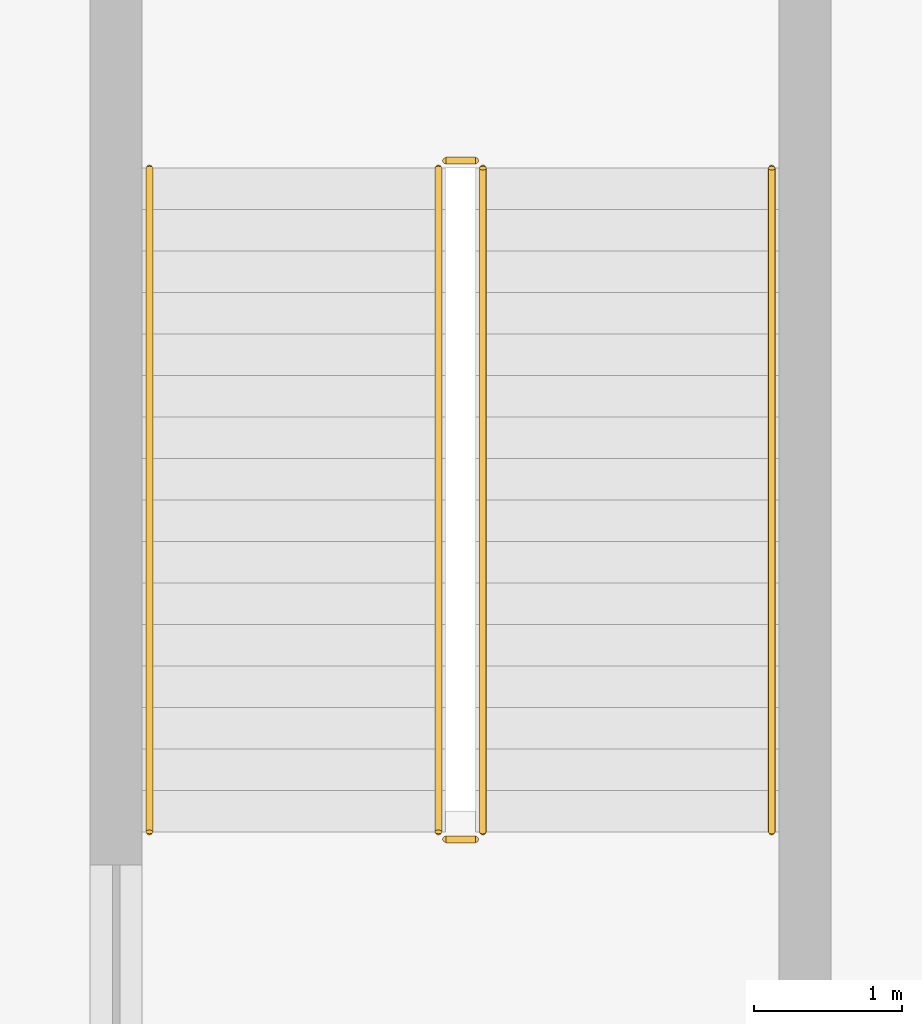
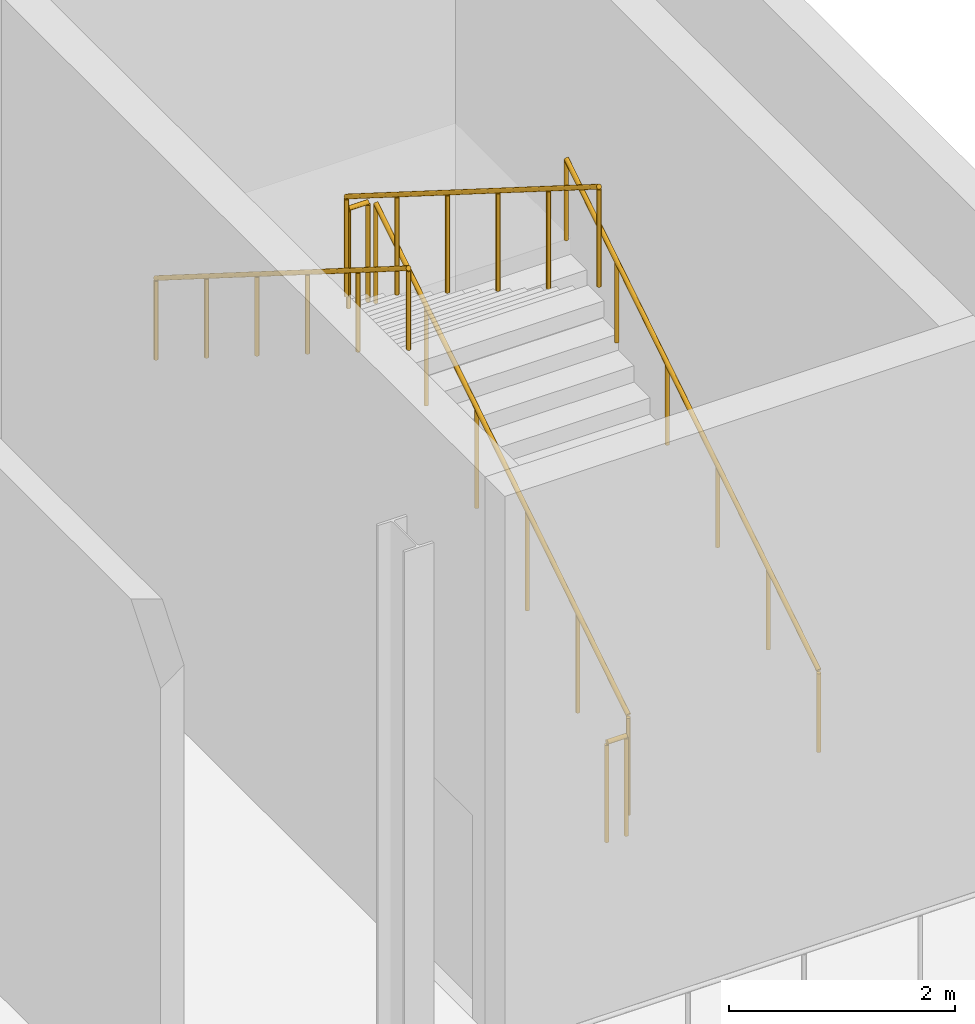
# One storey, part 80 of 84: 6 railings.
"""IFC4 building model written with IfcOpenShell, lengths in metres."""

import ifcopenshell
import ifcopenshell.guid

model = None  # the IFC model being written
_history = None  # IfcOwnerHistory: only IFC2X3 demands one
_inside = {}  # id of a spatial element -> (the spatial element, [elements in it])
_under = {}  # id of a project, library or spatial element -> (it, [spatial elements below it])
_declared = {}  # id of a project -> (the project, [libraries it declares])
_typed = {}  # id of a type object -> (the type object, [elements of that type])
_made_of = {}  # id of a material, layer set ... -> (it, [elements and type objects made of it])


def new_model(schema):
    """Start an empty IFC model of exactly this schema.

    Asked for "IFC4X3", IfcOpenShell would pick the latest addendum, in which some entities
    have other attributes; the version numbers below select the first issue.
    IFC2X3 requires an IfcOwnerHistory on every rooted entity: one is made here for all.
    """
    global model, _history
    if schema == "IFC4X3":
        model = ifcopenshell.file(schema_version=(4, 3, 0, 0))
    else:
        model = ifcopenshell.file(schema=schema)
    _inside.clear()
    _under.clear()
    _declared.clear()
    _typed.clear()
    _made_of.clear()
    _history = None
    if model.schema == "IFC2X3":
        org = make("IfcOrganization", Name="unknown")
        user = make(
            "IfcPersonAndOrganization",
            ThePerson=make("IfcPerson", FamilyName="unknown"),
            TheOrganization=org,
        )
        app = make(
            "IfcApplication",
            ApplicationDeveloper=org,
            Version="unknown",
            ApplicationFullName="unknown",
            ApplicationIdentifier="unknown",
        )
        _history = make(
            "IfcOwnerHistory",
            OwningUser=user,
            OwningApplication=app,
            ChangeAction="ADDED",
            CreationDate=0,
        )
    return model


def make(cls, **values):
    """One entity of the class cls with the attributes given. An attribute that is None is left unset."""
    return model.create_entity(
        cls, **{name: value for name, value in values.items() if value is not None}
    )


def rooted(cls, **values):
    """An entity with a GlobalId (a new one), such as an element, a storey or a relation."""
    return make(cls, GlobalId=ifcopenshell.guid.new(), OwnerHistory=_history, **values)


def si_unit(unit_type, name, prefix=None):
    """IfcSIUnit, for example si_unit("LENGTHUNIT", "METRE", prefix="MILLI")."""
    return make("IfcSIUnit", UnitType=unit_type, Prefix=prefix, Name=name)


def assignment(units):
    """IfcUnitAssignment: the units of a project."""
    return None if units is None else make("IfcUnitAssignment", Units=units)


def point(xyz):
    """IfcCartesianPoint."""
    return None if xyz is None else make("IfcCartesianPoint", Coordinates=xyz)


def direction(xyz):
    """IfcDirection."""
    return None if xyz is None else make("IfcDirection", DirectionRatios=xyz)


def frame(location, z_axis=None, x_axis=None):
    """IfcAxis2Placement3D, a coordinate frame: its origin and axes. An axis left out is left unset."""
    return make(
        "IfcAxis2Placement3D",
        Location=point(location),
        Axis=direction(z_axis),
        RefDirection=direction(x_axis),
    )


def frame_2d(location, x_axis=None):
    """IfcAxis2Placement2D, a coordinate frame in the plane: its origin and x axis."""
    return make(
        "IfcAxis2Placement2D", Location=point(location), RefDirection=direction(x_axis)
    )


def origin():
    """The frame at (0, 0, 0) with its axes left unset."""
    return frame((0.0, 0.0, 0.0))


def origin_2d():
    """The frame at (0, 0) in the plane with its x axis left unset."""
    return frame_2d((0.0, 0.0))


def place(relative_to, where):
    """IfcLocalPlacement: puts the frame where relative to a parent placement (None: the world)."""
    return make(
        "IfcLocalPlacement", PlacementRelTo=relative_to, RelativePlacement=where
    )


def context(
    kind, dimensions, precision=None, world=None, true_north=None, identifier=None
):
    """IfcGeometricRepresentationContext, for example the 3D "Model" context."""
    return make(
        "IfcGeometricRepresentationContext",
        ContextIdentifier=identifier,
        ContextType=kind,
        CoordinateSpaceDimension=dimensions,
        Precision=precision,
        WorldCoordinateSystem=world,
        TrueNorth=true_north,
    )


def subcontext(parent, identifier, kind, view, scale=None):
    """IfcGeometricRepresentationSubContext, for example "Body" below "Model"."""
    return make(
        "IfcGeometricRepresentationSubContext",
        ContextIdentifier=identifier,
        ContextType=kind,
        ParentContext=parent,
        TargetScale=scale,
        TargetView=view,
    )


def project(units=None, contexts=None):
    """IfcProject with its units and contexts."""
    return rooted(
        "IfcProject",
        Name="project",
        RepresentationContexts=contexts,
        UnitsInContext=assignment(units),
    )


def spatial(cls, under=None, at=None, **own):
    """A site, building, storey or space (cls), placed at a placement, below another one or the project."""
    s = rooted(cls, ObjectPlacement=at, **own)
    if under is not None:
        _under.setdefault(under.id(), (under, []))[1].append(s)
    return s


def profile(cls, at=None, kind="AREA", **sizes):
    """A parametric profile (cls). Its sizes go by their IFC names, for example OverallWidth=200.0."""
    return make(cls, ProfileType=kind, Position=at, **sizes)


def circle(**sizes):
    """IfcCircleProfileDef."""
    return profile("IfcCircleProfileDef", **sizes)


def extrude(swept, where, along, depth):
    """IfcExtrudedAreaSolid: the profile swept, set in the frame where, extruded along a direction by depth."""
    return make(
        "IfcExtrudedAreaSolid",
        SweptArea=swept,
        Position=where,
        ExtrudedDirection=direction(along),
        Depth=depth,
    )


def shape(context_of_items, identifier, shape_type, items):
    """IfcShapeRepresentation: the items that make up one representation, for example the "Body"."""
    return make(
        "IfcShapeRepresentation",
        ContextOfItems=context_of_items,
        RepresentationIdentifier=identifier,
        RepresentationType=shape_type,
        Items=items,
    )


def material(Name=None, Category=None):
    """IfcMaterial."""
    return make("IfcMaterial", Name=Name, Category=Category)


def made_of(thing, what):
    """Note that an element or type object is made of a material, layer set ...; save() writes the relation."""
    if what is not None:
        _made_of.setdefault(what.id(), (what, []))[1].append(thing)
    return thing


def type_object(cls, material=None, **own):
    """A type object (cls), such as IfcWallType, which elements share."""
    return made_of(rooted(cls, **own), material)


def element(
    cls,
    number,
    at=None,
    inside=None,
    cuts=None,
    type_object=None,
    material=None,
    context=None,
    identifier="Body",
    shape_type=None,
    held_by="IfcProductDefinitionShape",
    body=None,
    shapes=None,
    **own,
):
    """One element of the class cls, such as IfcWall. Its Tag is "e" and its number.

    at: its placement. inside: the storey or other place that contains it. cuts: it is an
    opening in that element (IfcRelVoidsElement). A single representation is given by context,
    identifier, shape_type and body (its items); several are given by shapes. held_by: the class
    of the entity that holds the representations. save() writes the other relations.
    """
    e = rooted(cls, Tag="e%d" % number, ObjectPlacement=at, **own)
    if body is not None:
        shapes = [shape(context, identifier, shape_type, body)]
    if shapes is not None:
        e.Representation = make(held_by, Representations=shapes)
    if inside is not None:
        _inside.setdefault(inside.id(), (inside, []))[1].append(e)
    if cuts is not None:
        rooted(
            "IfcRelVoidsElement", RelatingBuildingElement=cuts, RelatedOpeningElement=e
        )
    if type_object is not None:
        _typed.setdefault(type_object.id(), (type_object, []))[1].append(e)
    return made_of(e, material)


def aggregate(whole, parts):
    """IfcRelAggregates: a whole, such as a stair, and the parts it consists of."""
    return rooted("IfcRelAggregates", RelatingObject=whole, RelatedObjects=parts)


def save(model, path):
    """Write the relations noted so far, then the file.

    IfcRelAggregates (storeys below a building ...), IfcRelContainedInSpatialStructure (elements
    in a storey), IfcRelDefinesByType, IfcRelAssociatesMaterial and IfcRelDeclares: one each for
    every whole, place, type object, material and project.
    """
    for whole, parts in _under.values():
        aggregate(whole, parts)
    for where, things in _inside.values():
        rooted(
            "IfcRelContainedInSpatialStructure",
            RelatedElements=things,
            RelatingStructure=where,
        )
    for kind, things in _typed.values():
        rooted("IfcRelDefinesByType", RelatedObjects=things, RelatingType=kind)
    for what, things in _made_of.values():
        rooted("IfcRelAssociatesMaterial", RelatedObjects=things, RelatingMaterial=what)
    for by, libraries in _declared.values():
        rooted("IfcRelDeclares", RelatingContext=by, RelatedDefinitions=libraries)
    model.write(path)


model = new_model("IFC4")

# Units and contexts
model_context = context("Model", 3, precision=1e-05, world=origin(), true_north=direction((0.0, 1.0)))
body_context = subcontext(model_context, "Body", "Model", "MODEL_VIEW")
ifc_project = project(units=[si_unit("LENGTHUNIT", "METRE"), si_unit("AREAUNIT", "SQUARE_METRE"), si_unit("VOLUMEUNIT", "CUBIC_METRE"), si_unit("PLANEANGLEUNIT", "RADIAN"), si_unit("MASSUNIT", "GRAM", prefix="KILO")], contexts=[model_context])

# Site, building, storey
site_placement = place(None, origin())
site = spatial("IfcSite", under=ifc_project, at=site_placement, CompositionType="ELEMENT")
building_placement = place(site_placement, origin())
building = spatial("IfcBuilding", under=site, at=building_placement, Name="Sefraquen Railside Congress Hotel", CompositionType="ELEMENT")
storey_placement = place(building_placement, origin())
storey = spatial("IfcBuildingStorey", under=building, at=storey_placement, Name="L00", CompositionType="ELEMENT", Elevation=0.0)

# Railings
ifc_material = material(Name="Patinated wrought architectural bronze", Category="metal")
railing_type_1 = type_object("IfcRailingType", Name="TRL-BAL-110", PredefinedType="BALUSTRADE", material=ifc_material)
railing_1_placement = place(storey_placement, frame((168.10009765625, 20.449951171875, 0.176513671875)))
element("IfcRailing", 1, at=railing_1_placement, inside=storey, type_object=railing_type_1, Name="L00 ST-S01 stair guard 1", PredefinedType="BALUSTRADE", context=body_context, shape_type="SweptSolid", body=[
    extrude(circle(Radius=0.02392578125, at=origin_2d()), frame((0.0, 0.0, 1.076171875), z_axis=(0.0, 0.845997938375, 0.533186166611), x_axis=(-1.0, 0.0, 0.0)), (0.0, 0.0, 1.0), 5.29541015625),
    extrude(circle(Radius=0.02099609375, at=origin_2d()), origin(), (0.0, 0.0, 1.0), 1.052001953125),
    extrude(circle(Radius=0.02099609375, at=origin_2d()), frame((0.0, 0.89599609375, 0.564697265625)), (0.0, 0.0, 1.0), 1.052001953125),
    extrude(circle(Radius=0.02099609375, at=origin_2d()), frame((0.0, 1.7919921875, 1.12939453125)), (0.0, 0.0, 1.0), 1.052001953125),
    extrude(circle(Radius=0.02099609375, at=origin_2d()), frame((0.0, 2.68798828125, 1.694091796875)), (0.0, 0.0, 1.0), 1.052001953125),
    extrude(circle(Radius=0.02099609375, at=origin_2d()), frame((0.0, 3.583984375, 2.2587890625)), (0.0, 0.0, 1.0), 1.052001953125),
    extrude(circle(Radius=0.02099609375, at=origin_2d()), frame((0.0, 4.47998046875, 2.823486328125)), (0.0, 0.0, 1.0), 1.052001953125),
])
railing_2_placement = place(storey_placement, frame((168.050048828125, 24.97998046875, 3.0)))
element("IfcRailing", 2, at=railing_2_placement, inside=storey, type_object=railing_type_1, Name="L00 ST-S01 stair guard 2", PredefinedType="BALUSTRADE", context=body_context, shape_type="SweptSolid", body=[
    extrude(circle(Radius=0.02392578125, at=origin_2d()), frame((0.0, 0.0, 1.076171875), z_axis=(-1.0, 0.0, 0.0), x_axis=(0.0, -1.0, 0.0)), (0.0, 0.0, 1.0), 0.199951171875),
    extrude(circle(Radius=0.02099609375, at=origin_2d()), origin(), (0.0, 0.0, 1.0), 1.052001953125),
    extrude(circle(Radius=0.02099609375, at=origin_2d()), frame((-0.199951171875, 0.0, 0.0)), (0.0, 0.0, 1.0), 1.052001953125),
])
railing_3_placement = place(storey_placement, frame((167.800048828125, 24.929931640625, 3.176513671875)))
element("IfcRailing", 3, at=railing_3_placement, inside=storey, type_object=railing_type_1, Name="L00 ST-S01 stair guard 3", PredefinedType="BALUSTRADE", context=body_context, shape_type="SweptSolid", body=[
    extrude(circle(Radius=0.02392578125, at=origin_2d()), frame((0.0, 0.0, 1.076171875), z_axis=(0.0, -0.845997938375, 0.533186166611), x_axis=(1.0, 0.0, 0.0)), (0.0, 0.0, 1.0), 5.29541015625),
    extrude(circle(Radius=0.02099609375, at=origin_2d()), origin(), (0.0, 0.0, 1.0), 1.052001953125),
    extrude(circle(Radius=0.02099609375, at=origin_2d()), frame((0.0, -0.89599609375, 0.564697265625)), (0.0, 0.0, 1.0), 1.052001953125),
    extrude(circle(Radius=0.02099609375, at=origin_2d()), frame((0.0, -1.7919921875, 1.12939453125)), (0.0, 0.0, 1.0), 1.052001953125),
    extrude(circle(Radius=0.02099609375, at=origin_2d()), frame((0.0, -2.68798828125, 1.694091796875)), (0.0, 0.0, 1.0), 1.052001953125),
    extrude(circle(Radius=0.02099609375, at=origin_2d()), frame((0.0, -3.583984375, 2.2587890625)), (0.0, 0.0, 1.0), 1.052001953125),
    extrude(circle(Radius=0.02099609375, at=origin_2d()), frame((0.0, -4.47998046875, 2.823486328125)), (0.0, 0.0, 1.0), 1.052001953125),
])
railing_4_placement = place(storey_placement, frame((168.050048828125, 20.39990234375, 0.0)))
element("IfcRailing", 4, at=railing_4_placement, inside=storey, type_object=railing_type_1, Name="L00 ST-S01 stair guard 4", PredefinedType="BALUSTRADE", context=body_context, shape_type="SweptSolid", body=[
    extrude(circle(Radius=0.02392578125, at=origin_2d()), frame((0.0, 0.0, 1.076171875), z_axis=(-1.0, 0.0, 0.0), x_axis=(0.0, -1.0, 0.0)), (0.0, 0.0, 1.0), 0.199951171875),
    extrude(circle(Radius=0.02099609375, at=origin_2d()), origin(), (0.0, 0.0, 1.0), 1.052001953125),
    extrude(circle(Radius=0.02099609375, at=origin_2d()), frame((-0.199951171875, 0.0, 0.0)), (0.0, 0.0, 1.0), 1.052001953125),
])
railing_type_2 = type_object("IfcRailingType", Name="TRL-HR-090", PredefinedType="HANDRAIL", material=ifc_material)
railing_5_placement = place(storey_placement, frame((170.050048828125, 20.449951171875, 0.176513671875)))
element("IfcRailing", 5, at=railing_5_placement, inside=storey, type_object=railing_type_2, Name="L00 ST-S01 stair handrail 1", PredefinedType="HANDRAIL", context=body_context, shape_type="SweptSolid", body=[
    extrude(circle(Radius=0.02392578125, at=origin_2d()), frame((0.0, 0.0, 0.8759765625), z_axis=(0.0, 0.845997938375, 0.533186166611), x_axis=(-1.0, 0.0, 0.0)), (0.0, 0.0, 1.0), 5.29541015625),
    extrude(circle(Radius=0.02099609375, at=origin_2d()), origin(), (0.0, 0.0, 1.0), 0.851806640625),
    extrude(circle(Radius=0.02099609375, at=origin_2d()), frame((0.0, 0.89599609375, 0.564697265625)), (0.0, 0.0, 1.0), 0.851806640625),
    extrude(circle(Radius=0.02099609375, at=origin_2d()), frame((0.0, 1.7919921875, 1.12939453125)), (0.0, 0.0, 1.0), 0.851806640625),
    extrude(circle(Radius=0.02099609375, at=origin_2d()), frame((0.0, 2.68798828125, 1.694091796875)), (0.0, 0.0, 1.0), 0.851806640625),
    extrude(circle(Radius=0.02099609375, at=origin_2d()), frame((0.0, 3.583984375, 2.2587890625)), (0.0, 0.0, 1.0), 0.851806640625),
    extrude(circle(Radius=0.02099609375, at=origin_2d()), frame((0.0, 4.47998046875, 2.823486328125)), (0.0, 0.0, 1.0), 0.851806640625),
])
railing_6_placement = place(storey_placement, frame((165.85009765625, 24.929931640625, 3.176513671875)))
element("IfcRailing", 6, at=railing_6_placement, inside=storey, type_object=railing_type_2, Name="L00 ST-S01 stair handrail 2", PredefinedType="HANDRAIL", context=body_context, shape_type="SweptSolid", body=[
    extrude(circle(Radius=0.02392578125, at=origin_2d()), frame((0.0, 0.0, 0.8759765625), z_axis=(0.0, -0.845997938375, 0.533186166611), x_axis=(1.0, 0.0, 0.0)), (0.0, 0.0, 1.0), 5.29541015625),
    extrude(circle(Radius=0.02099609375, at=origin_2d()), origin(), (0.0, 0.0, 1.0), 0.851806640625),
    extrude(circle(Radius=0.02099609375, at=origin_2d()), frame((0.0, -0.89599609375, 0.564697265625)), (0.0, 0.0, 1.0), 0.851806640625),
    extrude(circle(Radius=0.02099609375, at=origin_2d()), frame((0.0, -1.7919921875, 1.12939453125)), (0.0, 0.0, 1.0), 0.851806640625),
    extrude(circle(Radius=0.02099609375, at=origin_2d()), frame((0.0, -2.68798828125, 1.694091796875)), (0.0, 0.0, 1.0), 0.851806640625),
    extrude(circle(Radius=0.02099609375, at=origin_2d()), frame((0.0, -3.583984375, 2.2587890625)), (0.0, 0.0, 1.0), 0.851806640625),
    extrude(circle(Radius=0.02099609375, at=origin_2d()), frame((0.0, -4.47998046875, 2.823486328125)), (0.0, 0.0, 1.0), 0.851806640625),
])

save(model, "model.ifc")
